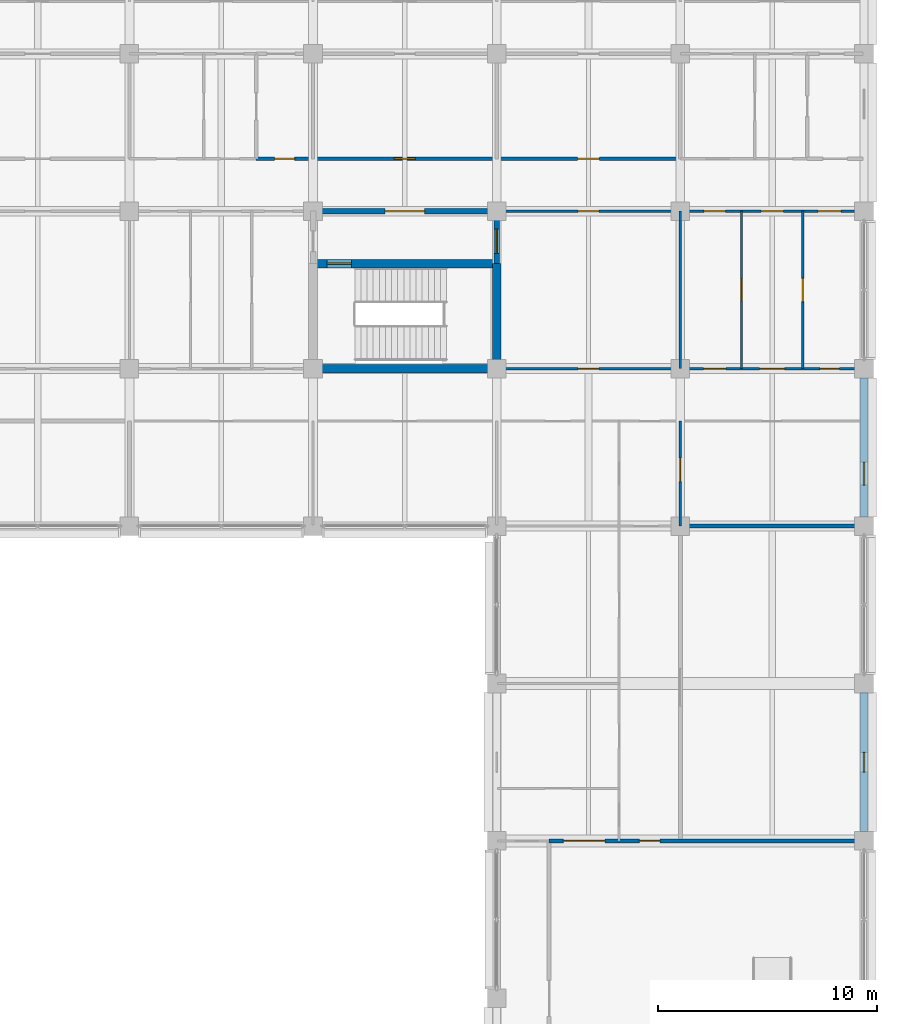
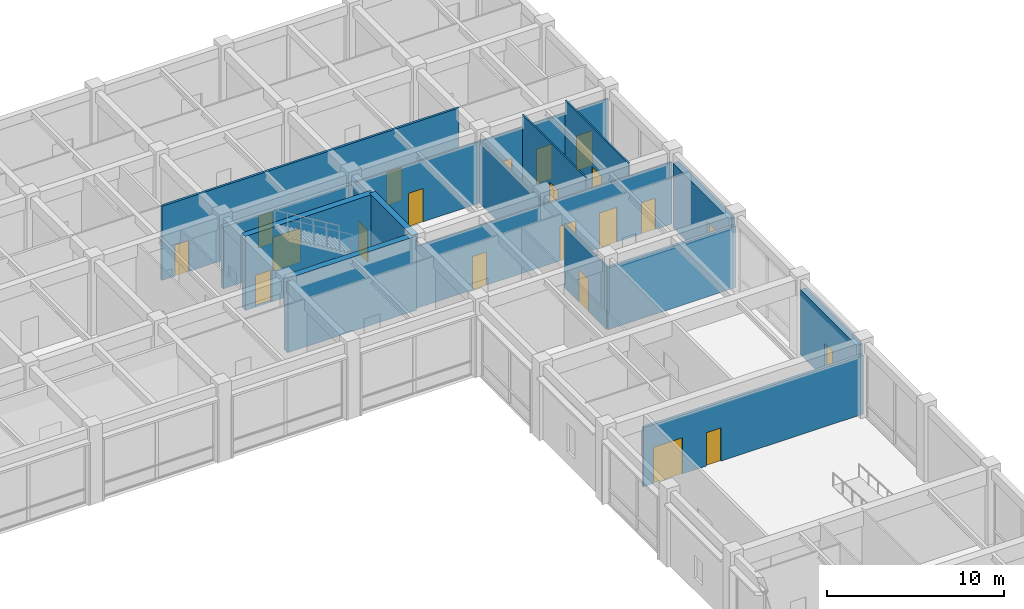
# One storey, part 40 of 51: 19 doors, 16 walls, 2 windows, 21 openings.
"""IFC4 building model written with IfcOpenShell, lengths in metres."""

import ifcopenshell
import ifcopenshell.guid

model = None  # the IFC model being written
_history = None  # IfcOwnerHistory: only IFC2X3 demands one
_inside = {}  # id of a spatial element -> (the spatial element, [elements in it])
_under = {}  # id of a project, library or spatial element -> (it, [spatial elements below it])
_declared = {}  # id of a project -> (the project, [libraries it declares])
_typed = {}  # id of a type object -> (the type object, [elements of that type])
_made_of = {}  # id of a material, layer set ... -> (it, [elements and type objects made of it])


def new_model(schema):
    """Start an empty IFC model of exactly this schema.

    Asked for "IFC4X3", IfcOpenShell would pick the latest addendum, in which some entities
    have other attributes; the version numbers below select the first issue.
    IFC2X3 requires an IfcOwnerHistory on every rooted entity: one is made here for all.
    """
    global model, _history
    if schema == "IFC4X3":
        model = ifcopenshell.file(schema_version=(4, 3, 0, 0))
    else:
        model = ifcopenshell.file(schema=schema)
    _inside.clear()
    _under.clear()
    _declared.clear()
    _typed.clear()
    _made_of.clear()
    _history = None
    if model.schema == "IFC2X3":
        org = make("IfcOrganization", Name="unknown")
        user = make(
            "IfcPersonAndOrganization",
            ThePerson=make("IfcPerson", FamilyName="unknown"),
            TheOrganization=org,
        )
        app = make(
            "IfcApplication",
            ApplicationDeveloper=org,
            Version="unknown",
            ApplicationFullName="unknown",
            ApplicationIdentifier="unknown",
        )
        _history = make(
            "IfcOwnerHistory",
            OwningUser=user,
            OwningApplication=app,
            ChangeAction="ADDED",
            CreationDate=0,
        )
    return model


def make(cls, **values):
    """One entity of the class cls with the attributes given. An attribute that is None is left unset."""
    return model.create_entity(
        cls, **{name: value for name, value in values.items() if value is not None}
    )


def rooted(cls, **values):
    """An entity with a GlobalId (a new one), such as an element, a storey or a relation."""
    return make(cls, GlobalId=ifcopenshell.guid.new(), OwnerHistory=_history, **values)


def si_unit(unit_type, name, prefix=None):
    """IfcSIUnit, for example si_unit("LENGTHUNIT", "METRE", prefix="MILLI")."""
    return make("IfcSIUnit", UnitType=unit_type, Prefix=prefix, Name=name)


def assignment(units):
    """IfcUnitAssignment: the units of a project."""
    return None if units is None else make("IfcUnitAssignment", Units=units)


def point(xyz):
    """IfcCartesianPoint."""
    return None if xyz is None else make("IfcCartesianPoint", Coordinates=xyz)


def direction(xyz):
    """IfcDirection."""
    return None if xyz is None else make("IfcDirection", DirectionRatios=xyz)


def frame(location, z_axis=None, x_axis=None):
    """IfcAxis2Placement3D, a coordinate frame: its origin and axes. An axis left out is left unset."""
    return make(
        "IfcAxis2Placement3D",
        Location=point(location),
        Axis=direction(z_axis),
        RefDirection=direction(x_axis),
    )


def frame_2d(location, x_axis=None):
    """IfcAxis2Placement2D, a coordinate frame in the plane: its origin and x axis."""
    return make(
        "IfcAxis2Placement2D", Location=point(location), RefDirection=direction(x_axis)
    )


def origin():
    """The frame at (0, 0, 0) with its axes left unset."""
    return frame((0.0, 0.0, 0.0))


def place(relative_to, where):
    """IfcLocalPlacement: puts the frame where relative to a parent placement (None: the world)."""
    return make(
        "IfcLocalPlacement", PlacementRelTo=relative_to, RelativePlacement=where
    )


def context(
    kind, dimensions, precision=None, world=None, true_north=None, identifier=None
):
    """IfcGeometricRepresentationContext, for example the 3D "Model" context."""
    return make(
        "IfcGeometricRepresentationContext",
        ContextIdentifier=identifier,
        ContextType=kind,
        CoordinateSpaceDimension=dimensions,
        Precision=precision,
        WorldCoordinateSystem=world,
        TrueNorth=true_north,
    )


def subcontext(parent, identifier, kind, view, scale=None):
    """IfcGeometricRepresentationSubContext, for example "Body" below "Model"."""
    return make(
        "IfcGeometricRepresentationSubContext",
        ContextIdentifier=identifier,
        ContextType=kind,
        ParentContext=parent,
        TargetScale=scale,
        TargetView=view,
    )


def project(units=None, contexts=None):
    """IfcProject with its units and contexts."""
    return rooted(
        "IfcProject",
        Name="project",
        RepresentationContexts=contexts,
        UnitsInContext=assignment(units),
    )


def spatial(cls, under=None, at=None, **own):
    """A site, building, storey or space (cls), placed at a placement, below another one or the project."""
    s = rooted(cls, ObjectPlacement=at, **own)
    if under is not None:
        _under.setdefault(under.id(), (under, []))[1].append(s)
    return s


def profile(cls, at=None, kind="AREA", **sizes):
    """A parametric profile (cls). Its sizes go by their IFC names, for example OverallWidth=200.0."""
    return make(cls, ProfileType=kind, Position=at, **sizes)


def rectangle(**sizes):
    """IfcRectangleProfileDef."""
    return profile("IfcRectangleProfileDef", **sizes)


def extrude(swept, where, along, depth):
    """IfcExtrudedAreaSolid: the profile swept, set in the frame where, extruded along a direction by depth."""
    return make(
        "IfcExtrudedAreaSolid",
        SweptArea=swept,
        Position=where,
        ExtrudedDirection=direction(along),
        Depth=depth,
    )


def shape(context_of_items, identifier, shape_type, items):
    """IfcShapeRepresentation: the items that make up one representation, for example the "Body"."""
    return make(
        "IfcShapeRepresentation",
        ContextOfItems=context_of_items,
        RepresentationIdentifier=identifier,
        RepresentationType=shape_type,
        Items=items,
    )


def material(Name=None, Category=None):
    """IfcMaterial."""
    return make("IfcMaterial", Name=Name, Category=Category)


def layer(
    of_material, thickness, ventilated=None, Name=None, Category=None, Priority=None
):
    """IfcMaterialLayer: one layer of a wall or slab, of a material (None: an air gap)."""
    return make(
        "IfcMaterialLayer",
        Material=of_material,
        LayerThickness=thickness,
        IsVentilated=ventilated,
        Name=Name,
        Category=Category,
        Priority=Priority,
    )


def layer_set(layers, Name=None):
    """IfcMaterialLayerSet."""
    return make("IfcMaterialLayerSet", MaterialLayers=layers, LayerSetName=Name)


def made_of(thing, what):
    """Note that an element or type object is made of a material, layer set ...; save() writes the relation."""
    if what is not None:
        _made_of.setdefault(what.id(), (what, []))[1].append(thing)
    return thing


def type_object(cls, material=None, **own):
    """A type object (cls), such as IfcWallType, which elements share."""
    return made_of(rooted(cls, **own), material)


def element(
    cls,
    number,
    at=None,
    inside=None,
    cuts=None,
    type_object=None,
    material=None,
    context=None,
    identifier="Body",
    shape_type=None,
    held_by="IfcProductDefinitionShape",
    body=None,
    shapes=None,
    **own,
):
    """One element of the class cls, such as IfcWall. Its Tag is "e" and its number.

    at: its placement. inside: the storey or other place that contains it. cuts: it is an
    opening in that element (IfcRelVoidsElement). A single representation is given by context,
    identifier, shape_type and body (its items); several are given by shapes. held_by: the class
    of the entity that holds the representations. save() writes the other relations.
    """
    e = rooted(cls, Tag="e%d" % number, ObjectPlacement=at, **own)
    if body is not None:
        shapes = [shape(context, identifier, shape_type, body)]
    if shapes is not None:
        e.Representation = make(held_by, Representations=shapes)
    if inside is not None:
        _inside.setdefault(inside.id(), (inside, []))[1].append(e)
    if cuts is not None:
        rooted(
            "IfcRelVoidsElement", RelatingBuildingElement=cuts, RelatedOpeningElement=e
        )
    if type_object is not None:
        _typed.setdefault(type_object.id(), (type_object, []))[1].append(e)
    return made_of(e, material)


def fill(opening, filler):
    """IfcRelFillsElement: the door or window that sits in an opening."""
    return rooted(
        "IfcRelFillsElement",
        RelatingOpeningElement=opening,
        RelatedBuildingElement=filler,
    )


def aggregate(whole, parts):
    """IfcRelAggregates: a whole, such as a stair, and the parts it consists of."""
    return rooted("IfcRelAggregates", RelatingObject=whole, RelatedObjects=parts)


def save(model, path):
    """Write the relations noted so far, then the file.

    IfcRelAggregates (storeys below a building ...), IfcRelContainedInSpatialStructure (elements
    in a storey), IfcRelDefinesByType, IfcRelAssociatesMaterial and IfcRelDeclares: one each for
    every whole, place, type object, material and project.
    """
    for whole, parts in _under.values():
        aggregate(whole, parts)
    for where, things in _inside.values():
        rooted(
            "IfcRelContainedInSpatialStructure",
            RelatedElements=things,
            RelatingStructure=where,
        )
    for kind, things in _typed.values():
        rooted("IfcRelDefinesByType", RelatedObjects=things, RelatingType=kind)
    for what, things in _made_of.values():
        rooted("IfcRelAssociatesMaterial", RelatedObjects=things, RelatingMaterial=what)
    for by, libraries in _declared.values():
        rooted("IfcRelDeclares", RelatingContext=by, RelatedDefinitions=libraries)
    model.write(path)


model = new_model("IFC4")

# Units and contexts
model_context = context("Model", 3, precision=1e-05, world=origin(), true_north=direction((0.0, 1.0)))
body_context = subcontext(model_context, "Body", "Model", "MODEL_VIEW")
ifc_project = project(units=[si_unit("LENGTHUNIT", "METRE"), si_unit("AREAUNIT", "SQUARE_METRE"), si_unit("VOLUMEUNIT", "CUBIC_METRE"), si_unit("PLANEANGLEUNIT", "RADIAN"), si_unit("MASSUNIT", "GRAM", prefix="KILO")], contexts=[model_context])

# Site, building, storey
site_placement = place(None, origin())
site = spatial("IfcSite", under=ifc_project, at=site_placement, CompositionType="ELEMENT")
building_placement = place(site_placement, origin())
building = spatial("IfcBuilding", under=site, at=building_placement, Name="Chengyuan Square Courthouse", CompositionType="ELEMENT")
storey_placement = place(building_placement, frame((0.0, 0.0, 10.800048828125)))
storey = spatial("IfcBuildingStorey", under=building, at=storey_placement, Name="L03", CompositionType="ELEMENT", Elevation=10.800048828125)

# Wall, opening, window
ifc_material_1 = material(Name="Concrete C40", Category="concrete")
ifc_layer_1 = layer(ifc_material_1, 0.3798828125)
ifc_layer_set_1 = layer_set([ifc_layer_1], Name="Concrete C40")
wall_type_1 = type_object("IfcWallType", Name="WL-EW1", PredefinedType="STANDARD", material=ifc_layer_set_1)
wall_1_placement = place(storey_placement, frame((168.0, 65.219970703125, 0.0), z_axis=(0.0, 0.0, 1.0), x_axis=(0.0, 1.0, 0.0)))
wall_1 = element("IfcWall", 1, at=wall_1_placement, inside=storey, type_object=wall_type_1, Name="Exterior Wall WL-L03-E292", PredefinedType="STANDARD", context=body_context, shape_type="SweptSolid", body=[
    extrude(rectangle(XDim=6.360107421875, YDim=0.3798828125, at=frame_2d((3.18017578125, 0.0))), origin(), (0.0, 0.0, 1.0), 4.469970703125),
])
opening_1_placement = place(wall_1_placement, frame((2.72998046875, 0.0, 0.85009765625)))
opening_1 = element("IfcOpeningElement", 2, at=opening_1_placement, cuts=wall_1, Name="Opening WN-078", PredefinedType="OPENING", context=body_context, shape_type="SweptSolid", body=[
    extrude(rectangle(XDim=0.89990234375, YDim=1.56005859375, at=frame_2d((0.449951171875, 0.780029296875))), frame((0.0, 0.201904296875, 0.0), z_axis=(0.0, -1.0, 0.0), x_axis=(1.0, 0.0, 0.0)), (0.0, 0.0, 1.0), 0.40380859375),
])
ifc_material_2 = material(Name="Thermally Broken Aluminium Triple Low-E Window", Category="aluminium")
window_type_1 = type_object("IfcWindowType", Name="WT-03", PartitioningType="SINGLE_PANEL", PredefinedType="WINDOW", material=ifc_material_2)
window_1_placement = place(opening_1_placement, origin())
window_1 = element("IfcWindow", 3, at=window_1_placement, inside=storey, type_object=window_type_1, Name="Facade Window WN-078", OverallHeight=1.56005859375, OverallWidth=0.89990234375, PartitioningType="SINGLE_PANEL", PredefinedType="WINDOW", context=body_context, shape_type="SweptSolid", body=[
    extrude(rectangle(XDim=0.89990234375, YDim=1.56005859375, at=frame_2d((0.449951171875, 0.780029296875))), frame((0.0, 0.030029296875, 0.0), z_axis=(0.0, -1.0, 0.0), x_axis=(1.0, 0.0, 0.0)), (0.0, 0.0, 1.0), 0.06005859375),
])
fill(opening_1, window_1)

wall_2_placement = place(storey_placement, frame((168.0, 79.6201171875, 0.0), z_axis=(0.0, 0.0, 1.0), x_axis=(0.0, 1.0, 0.0)))
wall_2 = element("IfcWall", 4, at=wall_2_placement, inside=storey, type_object=wall_type_1, Name="Exterior Wall WL-L03-E293", PredefinedType="STANDARD", context=body_context, shape_type="SweptSolid", body=[
    extrude(rectangle(XDim=6.35986328125, YDim=0.3798828125, at=frame_2d((3.179931640625, 0.0))), origin(), (0.0, 0.0, 1.0), 4.469970703125),
])
opening_2_placement = place(wall_2_placement, frame((1.455078125, 0.0, 0.85009765625)))
opening_2 = element("IfcOpeningElement", 5, at=opening_2_placement, cuts=wall_2, Name="Opening WN-079", PredefinedType="OPENING", context=body_context, shape_type="SweptSolid", body=[
    extrude(rectangle(XDim=1.050048828125, YDim=1.919921875, at=frame_2d((0.52490234375, 0.9599609375))), frame((0.0, 0.201904296875, 0.0), z_axis=(0.0, -1.0, 0.0), x_axis=(1.0, 0.0, 0.0)), (0.0, 0.0, 1.0), 0.40380859375),
])
window_type_2 = type_object("IfcWindowType", Name="WT-11", PartitioningType="SINGLE_PANEL", PredefinedType="WINDOW", material=ifc_material_2)
window_2_placement = place(opening_2_placement, origin())
window_2 = element("IfcWindow", 6, at=window_2_placement, inside=storey, type_object=window_type_2, Name="Facade Window WN-079", OverallHeight=1.919921875, OverallWidth=1.050048828125, PartitioningType="SINGLE_PANEL", PredefinedType="WINDOW", context=body_context, shape_type="SweptSolid", body=[
    extrude(rectangle(XDim=1.050048828125, YDim=1.919921875, at=frame_2d((0.52490234375, 0.9599609375))), frame((0.0, 0.030029296875, 0.0), z_axis=(0.0, -1.0, 0.0), x_axis=(1.0, 0.0, 0.0)), (0.0, 0.0, 1.0), 0.06005859375),
])
fill(opening_2, window_2)

# Wall, opening, door
ifc_layer_2 = layer(ifc_material_1, 0.25)
ifc_layer_set_2 = layer_set([ifc_layer_2], Name="Concrete C40")
wall_type_2 = type_object("IfcWallType", Name="WL-FW1", PredefinedType="STANDARD", material=ifc_layer_set_2)
wall_3_placement = place(storey_placement, frame((142.800048828125, 93.60009765625, 0.0), z_axis=(0.0, 0.0, 1.0), x_axis=(1.0, 0.0, 0.0)))
wall_3 = element("IfcWall", 7, at=wall_3_placement, inside=storey, type_object=wall_type_2, Name="Interior Wall WL-L03-I1459", PredefinedType="STANDARD", context=body_context, shape_type="SweptSolid", body=[
    extrude(rectangle(XDim=8.39990234375, YDim=0.25, at=frame_2d((4.199951171875, 0.0))), origin(), (0.0, 0.0, 1.0), 4.27001953125),
])
opening_3_placement = place(wall_3_placement, frame((3.300048828125, 0.0, 0.0)))
opening_3 = element("IfcOpeningElement", 8, at=opening_3_placement, cuts=wall_3, Name="Opening DR-1354", PredefinedType="OPENING", context=body_context, shape_type="SweptSolid", body=[
    extrude(rectangle(XDim=1.800048828125, YDim=2.35009765625, at=frame_2d((0.89990234375, 1.175048828125))), frame((0.0, 0.136962890625, 0.0), z_axis=(0.0, -1.0, 0.0), x_axis=(1.0, 0.0, 0.0)), (0.0, 0.0, 1.0), 0.27392578125),
])
ifc_material_3 = material(Name="Steel Q235B Glazed Fire Door", Category="steel")
door_type_1 = type_object("IfcDoorType", Name="DT-18", OperationType="DOUBLE_DOOR_SINGLE_SWING", PredefinedType="DOOR", material=ifc_material_3)
door_1_placement = place(opening_3_placement, frame((1.800048828125, 0.0, 0.0), z_axis=(0.0, 0.0, 1.0), x_axis=(-1.0, 0.0, 0.0)))
door_1 = element("IfcDoor", 9, at=door_1_placement, inside=storey, type_object=door_type_1, Name="Interior Door DR-1354", OperationType="DOUBLE_DOOR_SINGLE_SWING", OverallHeight=2.35009765625, OverallWidth=1.800048828125, PredefinedType="DOOR", context=body_context, shape_type="SweptSolid", body=[
    extrude(rectangle(XDim=1.800048828125, YDim=2.35009765625, at=frame_2d((0.89990234375, 1.175048828125))), frame((0.0, 0.02490234375, 0.0), z_axis=(0.0, -1.0, 0.0), x_axis=(1.0, 0.0, 0.0)), (0.0, 0.0, 1.0), 0.050048828125),
])
fill(opening_3, door_1)

wall_4_placement = place(storey_placement, frame((151.199951171875, 91.199951171875, 0.0), z_axis=(0.0, 0.0, 1.0), x_axis=(0.0, 1.0, 0.0)))
wall_4 = element("IfcWall", 10, at=wall_4_placement, inside=storey, type_object=wall_type_2, Name="Interior Wall WL-L03-I1719", PredefinedType="STANDARD", context=body_context, shape_type="SweptSolid", body=[
    extrude(rectangle(XDim=2.400146484375, YDim=0.25, at=frame_2d((1.2001953125, 0.0))), origin(), (0.0, 0.0, 1.0), 4.369873046875),
])
opening_4_placement = place(wall_4_placement, frame((0.4775390625, 0.0, 0.0)))
opening_4 = element("IfcOpeningElement", 11, at=opening_4_placement, cuts=wall_4, Name="Opening DR-1356", PredefinedType="OPENING", context=body_context, shape_type="SweptSolid", body=[
    extrude(rectangle(XDim=1.10009765625, YDim=2.199951171875, at=frame_2d((0.550048828125, 1.10009765625))), frame((0.0, 0.136962890625, 0.0), z_axis=(0.0, -1.0, 0.0), x_axis=(1.0, 0.0, 0.0)), (0.0, 0.0, 1.0), 0.27392578125),
])
ifc_material_4 = material(Name="Steel Q235B Fire Door", Category="steel")
door_type_2 = type_object("IfcDoorType", Name="DT-10", OperationType="NOTDEFINED", PredefinedType="DOOR", material=ifc_material_4)
door_2_placement = place(opening_4_placement, origin())
door_2 = element("IfcDoor", 12, at=door_2_placement, inside=storey, type_object=door_type_2, Name="Interior Door DR-1356", OperationType="SINGLE_SWING_LEFT", OverallHeight=2.199951171875, OverallWidth=1.10009765625, PredefinedType="DOOR", context=body_context, shape_type="SweptSolid", body=[
    extrude(rectangle(XDim=1.10009765625, YDim=2.199951171875, at=frame_2d((0.550048828125, 1.10009765625))), frame((0.0, 0.02490234375, 0.0), z_axis=(0.0, -1.0, 0.0), x_axis=(1.0, 0.0, 0.0)), (0.0, 0.0, 1.0), 0.050048828125),
])
fill(opening_4, door_2)

# Wall, openings, doors
ifc_material_5 = material(Name="Double-Stud Acoustic Gypsum Courtroom Partition")
ifc_layer_3 = layer(ifc_material_5, 0.179931640625)
ifc_layer_set_3 = layer_set([ifc_layer_3], Name="Double-Stud Acoustic Gypsum Courtroom Partition")
wall_type_3 = type_object("IfcWallType", Name="WL-PT1", PredefinedType="STANDARD", material=ifc_layer_set_3)
wall_5_placement = place(storey_placement, frame((153.60009765625, 64.800048828125, 0.0), z_axis=(0.0, 0.0, 1.0), x_axis=(1.0, 0.0, 0.0)))
wall_5 = element("IfcWall", 13, at=wall_5_placement, inside=storey, type_object=wall_type_3, Name="Interior Wall WL-L03-I1403", PredefinedType="STANDARD", context=body_context, shape_type="SweptSolid", body=[
    extrude(rectangle(XDim=14.35986328125, YDim=0.179931640625, at=frame_2d((7.179931640625, 0.0))), origin(), (0.0, 0.0, 1.0), 4.070068359375),
])
opening_5_placement = place(wall_5_placement, frame((4.1298828125, 0.0, 0.0)))
opening_5 = element("IfcOpeningElement", 14, at=opening_5_placement, cuts=wall_5, Name="Opening DR-1369", PredefinedType="OPENING", context=body_context, shape_type="SweptSolid", body=[
    extrude(rectangle(XDim=0.93994140625, YDim=2.300048828125, at=frame_2d((0.469970703125, 1.14990234375))), frame((0.0, 0.10205078125, 0.0), z_axis=(0.0, -1.0, 0.0), x_axis=(1.0, 0.0, 0.0)), (0.0, 0.0, 1.0), 0.203857421875),
])
opening_6_placement = place(wall_5_placement, frame((0.64990234375, 0.0, 0.0)))
opening_6 = element("IfcOpeningElement", 15, at=opening_6_placement, cuts=wall_5, Name="Opening DR-1370", PredefinedType="OPENING", context=body_context, shape_type="SweptSolid", body=[
    extrude(rectangle(XDim=1.89990234375, YDim=2.5, at=frame_2d((0.949951171875, 1.25))), frame((0.0, 0.10205078125, 0.0), z_axis=(0.0, -1.0, 0.0), x_axis=(1.0, 0.0, 0.0)), (0.0, 0.0, 1.0), 0.203857421875),
])
ifc_material_6 = material(Name="Acoustic Larch Veneer Double Door")
door_type_3 = type_object("IfcDoorType", Name="DT-26", OperationType="DOUBLE_DOOR_SINGLE_SWING", PredefinedType="DOOR", material=ifc_material_6)
door_3_placement = place(opening_6_placement, frame((1.89990234375, 0.0, 0.0), z_axis=(0.0, 0.0, 1.0), x_axis=(-1.0, 0.0, 0.0)))
door_3 = element("IfcDoor", 16, at=door_3_placement, inside=storey, type_object=door_type_3, Name="Interior Door DR-1370", OperationType="DOUBLE_DOOR_SINGLE_SWING", OverallHeight=2.5, OverallWidth=1.89990234375, PredefinedType="DOOR", context=body_context, shape_type="SweptSolid", body=[
    extrude(rectangle(XDim=1.89990234375, YDim=2.5, at=frame_2d((0.949951171875, 1.25))), frame((0.0, 0.02490234375, 0.0), z_axis=(0.0, -1.0, 0.0), x_axis=(1.0, 0.0, 0.0)), (0.0, 0.0, 1.0), 0.050048828125),
])
fill(opening_6, door_3)
ifc_material_7 = material(Name="Acoustic Solid-Core Timber Door", Category="wood")
door_type_4 = type_object("IfcDoorType", Name="DT-39", OperationType="NOTDEFINED", PredefinedType="DOOR", material=ifc_material_7)
door_4_placement = place(opening_5_placement, origin())
door_4 = element("IfcDoor", 17, at=door_4_placement, inside=storey, type_object=door_type_4, Name="Interior Door DR-1369", OperationType="SINGLE_SWING_LEFT", OverallHeight=2.300048828125, OverallWidth=0.93994140625, PredefinedType="DOOR", context=body_context, shape_type="SweptSolid", body=[
    extrude(rectangle(XDim=0.93994140625, YDim=2.300048828125, at=frame_2d((0.469970703125, 1.14990234375))), frame((0.0, 0.02490234375, 0.0), z_axis=(0.0, -1.0, 0.0), x_axis=(1.0, 0.0, 0.0)), (0.0, 0.0, 1.0), 0.050048828125),
])
fill(opening_5, door_4)

# Wall
wall_6_placement = place(storey_placement, frame((159.60009765625, 79.199951171875, 0.0), z_axis=(0.0, 0.0, 1.0), x_axis=(1.0, 0.0, 0.0)))
element("IfcWall", 18, at=wall_6_placement, inside=storey, type_object=wall_type_3, Name="Interior Wall WL-L03-I1411", PredefinedType="STANDARD", context=body_context, shape_type="SweptSolid", body=[
    extrude(rectangle(XDim=8.35986328125, YDim=0.179931640625, at=frame_2d((4.179931640625, 0.0))), origin(), (0.0, 0.0, 1.0), 4.27001953125),
])

# Wall, openings, doors
ifc_material_8 = material(Name="Deliberation Room Sound-Insulated Partition")
ifc_layer_4 = layer(ifc_material_8, 0.14990234375)
ifc_layer_set_4 = layer_set([ifc_layer_4], Name="Deliberation Room Sound-Insulated Partition")
wall_type_4 = type_object("IfcWallType", Name="WL-PT3", PredefinedType="STANDARD", material=ifc_layer_set_4)
wall_7_placement = place(storey_placement, frame((140.199951171875, 96.0, 0.0), z_axis=(0.0, 0.0, 1.0), x_axis=(1.0, 0.0, 0.0)))
wall_7 = element("IfcWall", 19, at=wall_7_placement, inside=storey, type_object=wall_type_4, Name="Interior Wall WL-L03-I1472", PredefinedType="STANDARD", context=body_context, shape_type="SweptSolid", body=[
    extrude(rectangle(XDim=19.400146484375, YDim=0.14990234375, at=frame_2d((9.7001953125, 0.0))), origin(), (0.0, 0.0, 1.0), 5.119873046875),
])
opening_7_placement = place(wall_7_placement, frame((0.840087890625, 0.0, 0.0)))
opening_7 = element("IfcOpeningElement", 20, at=opening_7_placement, cuts=wall_7, Name="Opening DR-1495", PredefinedType="OPENING", context=body_context, shape_type="SweptSolid", body=[
    extrude(rectangle(XDim=0.919921875, YDim=2.14990234375, at=frame_2d((0.4599609375, 1.074951171875))), frame((0.0, 0.0869140625, 0.0), z_axis=(0.0, -1.0, 0.0), x_axis=(1.0, 0.0, 0.0)), (0.0, 0.0, 1.0), 0.173828125),
])
opening_8_placement = place(wall_7_placement, frame((6.320068359375, 0.0, 0.0)))
opening_8 = element("IfcOpeningElement", 21, at=opening_8_placement, cuts=wall_7, Name="Opening DR-1496", PredefinedType="OPENING", context=body_context, shape_type="SweptSolid", body=[
    extrude(rectangle(XDim=0.9599609375, YDim=2.199951171875, at=frame_2d((0.47998046875, 1.10009765625))), frame((0.0, 0.0869140625, 0.0), z_axis=(0.0, -1.0, 0.0), x_axis=(1.0, 0.0, 0.0)), (0.0, 0.0, 1.0), 0.173828125),
])
opening_9_placement = place(wall_7_placement, frame((14.699951171875, 0.0, 0.0)))
opening_9 = element("IfcOpeningElement", 22, at=opening_9_placement, cuts=wall_7, Name="Opening DR-1497", PredefinedType="OPENING", context=body_context, shape_type="SweptSolid", body=[
    extrude(rectangle(XDim=1.0, YDim=2.25, at=frame_2d((0.5, 1.125))), frame((0.0, 0.0869140625, 0.0), z_axis=(0.0, -1.0, 0.0), x_axis=(1.0, 0.0, 0.0)), (0.0, 0.0, 1.0), 0.173828125),
])
door_type_5 = type_object("IfcDoorType", Name="DT-29", OperationType="NOTDEFINED", PredefinedType="DOOR", material=ifc_material_7)
door_5_placement = place(opening_7_placement, origin())
door_5 = element("IfcDoor", 23, at=door_5_placement, inside=storey, type_object=door_type_5, Name="Interior Door DR-1495", OperationType="SINGLE_SWING_RIGHT", OverallHeight=2.14990234375, OverallWidth=0.919921875, PredefinedType="DOOR", context=body_context, shape_type="SweptSolid", body=[
    extrude(rectangle(XDim=0.919921875, YDim=2.14990234375, at=frame_2d((0.4599609375, 1.074951171875))), frame((0.0, 0.02490234375, 0.0), z_axis=(0.0, -1.0, 0.0), x_axis=(1.0, 0.0, 0.0)), (0.0, 0.0, 1.0), 0.050048828125),
])
fill(opening_7, door_5)
door_type_6 = type_object("IfcDoorType", Name="DT-30", OperationType="NOTDEFINED", PredefinedType="DOOR", material=ifc_material_7)
door_6_placement = place(opening_8_placement, origin())
door_6 = element("IfcDoor", 24, at=door_6_placement, inside=storey, type_object=door_type_6, Name="Interior Door DR-1496", OperationType="SINGLE_SWING_LEFT", OverallHeight=2.199951171875, OverallWidth=0.9599609375, PredefinedType="DOOR", context=body_context, shape_type="SweptSolid", body=[
    extrude(rectangle(XDim=0.9599609375, YDim=2.199951171875, at=frame_2d((0.47998046875, 1.10009765625))), frame((0.0, 0.02490234375, 0.0), z_axis=(0.0, -1.0, 0.0), x_axis=(1.0, 0.0, 0.0)), (0.0, 0.0, 1.0), 0.050048828125),
])
fill(opening_8, door_6)
door_type_7 = type_object("IfcDoorType", Name="DT-31", OperationType="NOTDEFINED", PredefinedType="DOOR", material=ifc_material_7)
door_7_placement = place(opening_9_placement, origin())
door_7 = element("IfcDoor", 25, at=door_7_placement, inside=storey, type_object=door_type_7, Name="Interior Door DR-1497", OperationType="SINGLE_SWING_RIGHT", OverallHeight=2.25, OverallWidth=1.0, PredefinedType="DOOR", context=body_context, shape_type="SweptSolid", body=[
    extrude(rectangle(XDim=1.0, YDim=2.25, at=frame_2d((0.5, 1.125))), frame((0.0, 0.02490234375, 0.0), z_axis=(0.0, -1.0, 0.0), x_axis=(1.0, 0.0, 0.0)), (0.0, 0.0, 1.0), 0.050048828125),
])
fill(opening_9, door_7)

ifc_material_9 = material(Name="Gypsum Plasterboard Acoustic Stud Partition")
ifc_layer_5 = layer(ifc_material_9, 0.10009765625)
ifc_layer_set_5 = layer_set([ifc_layer_5], Name="Gypsum Plasterboard Acoustic Stud Partition")
wall_type_5 = type_object("IfcWallType", Name="WL-PT6", PredefinedType="STANDARD", material=ifc_layer_set_5)
wall_8_placement = place(storey_placement, frame((151.199951171875, 86.39990234375, 0.0), z_axis=(0.0, 0.0, 1.0), x_axis=(1.0, 0.0, 0.0)))
wall_8 = element("IfcWall", 26, at=wall_8_placement, inside=storey, type_object=wall_type_5, Name="Interior Wall WL-L03-I1432", PredefinedType="STANDARD", context=body_context, shape_type="SweptSolid", body=[
    extrude(rectangle(XDim=16.760009765625, YDim=0.10009765625, at=frame_2d((8.3798828125, 0.0))), origin(), (0.0, 0.0, 1.0), 4.27001953125),
])
opening_10_placement = place(wall_8_placement, frame((3.72998046875, 0.0, 0.0)))
opening_10 = element("IfcOpeningElement", 27, at=opening_10_placement, cuts=wall_8, Name="Opening DR-1556", PredefinedType="OPENING", context=body_context, shape_type="SweptSolid", body=[
    extrude(rectangle(XDim=0.93994140625, YDim=2.300048828125, at=frame_2d((0.469970703125, 1.14990234375))), frame((0.0, 0.06201171875, 0.0), z_axis=(0.0, -1.0, 0.0), x_axis=(1.0, 0.0, 0.0)), (0.0, 0.0, 1.0), 0.1240234375),
])
opening_11_placement = place(wall_8_placement, frame((9.46240234375, 0.0, 0.0)))
opening_11 = element("IfcOpeningElement", 28, at=opening_11_placement, cuts=wall_8, Name="Opening DR-1558", PredefinedType="OPENING", context=body_context, shape_type="SweptSolid", body=[
    extrude(rectangle(XDim=1.02001953125, YDim=2.39990234375, at=frame_2d((0.510009765625, 1.199951171875))), frame((0.0, 0.06201171875, 0.0), z_axis=(0.0, -1.0, 0.0), x_axis=(1.0, 0.0, 0.0)), (0.0, 0.0, 1.0), 0.1240234375),
])
opening_12_placement = place(wall_8_placement, frame((12.030029296875, 0.0, 0.0)))
opening_12 = element("IfcOpeningElement", 29, at=opening_12_placement, cuts=wall_8, Name="Opening DR-1560", PredefinedType="OPENING", context=body_context, shape_type="SweptSolid", body=[
    extrude(rectangle(XDim=1.139892578125, YDim=2.39990234375, at=frame_2d((0.56982421875, 1.199951171875))), frame((0.0, 0.06201171875, 0.0), z_axis=(0.0, -1.0, 0.0), x_axis=(1.0, 0.0, 0.0)), (0.0, 0.0, 1.0), 0.1240234375),
])
opening_13_placement = place(wall_8_placement, frame((14.777587890625, 0.0, 0.0)))
opening_13 = element("IfcOpeningElement", 30, at=opening_13_placement, cuts=wall_8, Name="Opening DR-1561", PredefinedType="OPENING", context=body_context, shape_type="SweptSolid", body=[
    extrude(rectangle(XDim=0.89990234375, YDim=2.14990234375, at=frame_2d((0.449951171875, 1.074951171875))), frame((0.0, 0.06201171875, 0.0), z_axis=(0.0, -1.0, 0.0), x_axis=(1.0, 0.0, 0.0)), (0.0, 0.0, 1.0), 0.1240234375),
])
door_type_8 = type_object("IfcDoorType", Name="DT-27", OperationType="NOTDEFINED", PredefinedType="DOOR", material=ifc_material_7)
door_8_placement = place(opening_13_placement, origin())
door_8 = element("IfcDoor", 31, at=door_8_placement, inside=storey, type_object=door_type_8, Name="Interior Door DR-1561", OperationType="SINGLE_SWING_RIGHT", OverallHeight=2.14990234375, OverallWidth=0.89990234375, PredefinedType="DOOR", context=body_context, shape_type="SweptSolid", body=[
    extrude(rectangle(XDim=0.89990234375, YDim=2.14990234375, at=frame_2d((0.449951171875, 1.074951171875))), frame((0.0, 0.02490234375, 0.0), z_axis=(0.0, -1.0, 0.0), x_axis=(1.0, 0.0, 0.0)), (0.0, 0.0, 1.0), 0.050048828125),
])
fill(opening_13, door_8)
door_9_placement = place(opening_10_placement, origin())
door_9 = element("IfcDoor", 32, at=door_9_placement, inside=storey, type_object=door_type_4, Name="Interior Door DR-1556", OperationType="SINGLE_SWING_LEFT", OverallHeight=2.300048828125, OverallWidth=0.93994140625, PredefinedType="DOOR", context=body_context, shape_type="SweptSolid", body=[
    extrude(rectangle(XDim=0.93994140625, YDim=2.300048828125, at=frame_2d((0.469970703125, 1.14990234375))), frame((0.0, 0.02490234375, 0.0), z_axis=(0.0, -1.0, 0.0), x_axis=(1.0, 0.0, 0.0)), (0.0, 0.0, 1.0), 0.050048828125),
])
fill(opening_10, door_9)
door_type_9 = type_object("IfcDoorType", Name="DT-41", OperationType="NOTDEFINED", PredefinedType="DOOR", material=ifc_material_7)
door_10_placement = place(opening_11_placement, origin())
door_10 = element("IfcDoor", 33, at=door_10_placement, inside=storey, type_object=door_type_9, Name="Interior Door DR-1558", OperationType="SINGLE_SWING_LEFT", OverallHeight=2.39990234375, OverallWidth=1.02001953125, PredefinedType="DOOR", context=body_context, shape_type="SweptSolid", body=[
    extrude(rectangle(XDim=1.02001953125, YDim=2.39990234375, at=frame_2d((0.510009765625, 1.199951171875))), frame((0.0, 0.02490234375, 0.0), z_axis=(0.0, -1.0, 0.0), x_axis=(1.0, 0.0, 0.0)), (0.0, 0.0, 1.0), 0.050048828125),
])
fill(opening_11, door_10)
door_type_10 = type_object("IfcDoorType", Name="DT-43", OperationType="NOTDEFINED", PredefinedType="DOOR", material=ifc_material_7)
door_11_placement = place(opening_12_placement, origin())
door_11 = element("IfcDoor", 34, at=door_11_placement, inside=storey, type_object=door_type_10, Name="Interior Door DR-1560", OperationType="SINGLE_SWING_LEFT", OverallHeight=2.39990234375, OverallWidth=1.139892578125, PredefinedType="DOOR", context=body_context, shape_type="SweptSolid", body=[
    extrude(rectangle(XDim=1.139892578125, YDim=2.39990234375, at=frame_2d((0.56982421875, 1.199951171875))), frame((0.0, 0.02490234375, 0.0), z_axis=(0.0, -1.0, 0.0), x_axis=(1.0, 0.0, 0.0)), (0.0, 0.0, 1.0), 0.050048828125),
])
fill(opening_12, door_11)

wall_9_placement = place(storey_placement, frame((151.199951171875, 93.60009765625, 0.0), z_axis=(0.0, 0.0, 1.0), x_axis=(1.0, 0.0, 0.0)))
wall_9 = element("IfcWall", 35, at=wall_9_placement, inside=storey, type_object=wall_type_5, Name="Interior Wall WL-L03-I1460", PredefinedType="STANDARD", context=body_context, shape_type="SweptSolid", body=[
    extrude(rectangle(XDim=16.760009765625, YDim=0.10009765625, at=frame_2d((8.3798828125, 0.0))), origin(), (0.0, 0.0, 1.0), 4.27001953125),
])
opening_14_placement = place(wall_9_placement, frame((3.72998046875, 0.0, 0.0)))
opening_14 = element("IfcOpeningElement", 36, at=opening_14_placement, cuts=wall_9, Name="Opening DR-1505", PredefinedType="OPENING", context=body_context, shape_type="SweptSolid", body=[
    extrude(rectangle(XDim=0.93994140625, YDim=2.300048828125, at=frame_2d((0.469970703125, 1.14990234375))), frame((0.0, 0.06201171875, 0.0), z_axis=(0.0, -1.0, 0.0), x_axis=(1.0, 0.0, 0.0)), (0.0, 0.0, 1.0), 0.1240234375),
])
opening_15_placement = place(wall_9_placement, frame((9.482421875, 0.0, 0.0)))
opening_15 = element("IfcOpeningElement", 37, at=opening_15_placement, cuts=wall_9, Name="Opening DR-1506", PredefinedType="OPENING", context=body_context, shape_type="SweptSolid", body=[
    extrude(rectangle(XDim=0.97998046875, YDim=2.35009765625, at=frame_2d((0.489990234375, 1.175048828125))), frame((0.0, 0.06201171875, 0.0), z_axis=(0.0, -1.0, 0.0), x_axis=(1.0, 0.0, 0.0)), (0.0, 0.0, 1.0), 0.1240234375),
])
opening_16_placement = place(wall_9_placement, frame((12.090087890625, 0.0, 0.0)))
opening_16 = element("IfcOpeningElement", 38, at=opening_16_placement, cuts=wall_9, Name="Opening DR-1507", PredefinedType="OPENING", context=body_context, shape_type="SweptSolid", body=[
    extrude(rectangle(XDim=1.02001953125, YDim=2.39990234375, at=frame_2d((0.510009765625, 1.199951171875))), frame((0.0, 0.06201171875, 0.0), z_axis=(0.0, -1.0, 0.0), x_axis=(1.0, 0.0, 0.0)), (0.0, 0.0, 1.0), 0.1240234375),
])
opening_17_placement = place(wall_9_placement, frame((14.697509765625, 0.0, 0.0)))
opening_17 = element("IfcOpeningElement", 39, at=opening_17_placement, cuts=wall_9, Name="Opening DR-1508", PredefinedType="OPENING", context=body_context, shape_type="SweptSolid", body=[
    extrude(rectangle(XDim=1.06005859375, YDim=2.39990234375, at=frame_2d((0.530029296875, 1.199951171875))), frame((0.0, 0.06201171875, 0.0), z_axis=(0.0, -1.0, 0.0), x_axis=(1.0, 0.0, 0.0)), (0.0, 0.0, 1.0), 0.1240234375),
])
door_12_placement = place(opening_14_placement, origin())
door_12 = element("IfcDoor", 40, at=door_12_placement, inside=storey, type_object=door_type_4, Name="Interior Door DR-1505", OperationType="SINGLE_SWING_LEFT", OverallHeight=2.300048828125, OverallWidth=0.93994140625, PredefinedType="DOOR", context=body_context, shape_type="SweptSolid", body=[
    extrude(rectangle(XDim=0.93994140625, YDim=2.300048828125, at=frame_2d((0.469970703125, 1.14990234375))), frame((0.0, 0.02490234375, 0.0), z_axis=(0.0, -1.0, 0.0), x_axis=(1.0, 0.0, 0.0)), (0.0, 0.0, 1.0), 0.050048828125),
])
fill(opening_14, door_12)
door_type_11 = type_object("IfcDoorType", Name="DT-40", OperationType="NOTDEFINED", PredefinedType="DOOR", material=ifc_material_7)
door_13_placement = place(opening_15_placement, origin())
door_13 = element("IfcDoor", 41, at=door_13_placement, inside=storey, type_object=door_type_11, Name="Interior Door DR-1506", OperationType="SINGLE_SWING_RIGHT", OverallHeight=2.35009765625, OverallWidth=0.97998046875, PredefinedType="DOOR", context=body_context, shape_type="SweptSolid", body=[
    extrude(rectangle(XDim=0.97998046875, YDim=2.35009765625, at=frame_2d((0.489990234375, 1.175048828125))), frame((0.0, 0.02490234375, 0.0), z_axis=(0.0, -1.0, 0.0), x_axis=(1.0, 0.0, 0.0)), (0.0, 0.0, 1.0), 0.050048828125),
])
fill(opening_15, door_13)
door_14_placement = place(opening_16_placement, origin())
door_14 = element("IfcDoor", 42, at=door_14_placement, inside=storey, type_object=door_type_9, Name="Interior Door DR-1507", OperationType="SINGLE_SWING_LEFT", OverallHeight=2.39990234375, OverallWidth=1.02001953125, PredefinedType="DOOR", context=body_context, shape_type="SweptSolid", body=[
    extrude(rectangle(XDim=1.02001953125, YDim=2.39990234375, at=frame_2d((0.510009765625, 1.199951171875))), frame((0.0, 0.02490234375, 0.0), z_axis=(0.0, -1.0, 0.0), x_axis=(1.0, 0.0, 0.0)), (0.0, 0.0, 1.0), 0.050048828125),
])
fill(opening_16, door_14)
door_type_12 = type_object("IfcDoorType", Name="DT-42", OperationType="NOTDEFINED", PredefinedType="DOOR", material=ifc_material_7)
door_15_placement = place(opening_17_placement, origin())
door_15 = element("IfcDoor", 43, at=door_15_placement, inside=storey, type_object=door_type_12, Name="Interior Door DR-1508", OperationType="SINGLE_SWING_RIGHT", OverallHeight=2.39990234375, OverallWidth=1.06005859375, PredefinedType="DOOR", context=body_context, shape_type="SweptSolid", body=[
    extrude(rectangle(XDim=1.06005859375, YDim=2.39990234375, at=frame_2d((0.530029296875, 1.199951171875))), frame((0.0, 0.02490234375, 0.0), z_axis=(0.0, -1.0, 0.0), x_axis=(1.0, 0.0, 0.0)), (0.0, 0.0, 1.0), 0.050048828125),
])
fill(opening_17, door_15)

# Wall, opening, door
wall_10_placement = place(storey_placement, frame((159.60009765625, 79.199951171875, 0.0), z_axis=(0.0, 0.0, 1.0), x_axis=(0.0, 1.0, 0.0)))
wall_10 = element("IfcWall", 44, at=wall_10_placement, inside=storey, type_object=wall_type_5, Name="Interior Wall WL-L03-I1729", PredefinedType="STANDARD", context=body_context, shape_type="SweptSolid", body=[
    extrude(rectangle(XDim=4.800048828125, YDim=0.10009765625, at=frame_2d((2.39990234375, 0.0))), origin(), (0.0, 0.0, 1.0), 4.369873046875),
])
opening_18_placement = place(wall_10_placement, frame((2.032470703125, 0.0, 0.0)))
opening_18 = element("IfcOpeningElement", 45, at=opening_18_placement, cuts=wall_10, Name="Opening DR-1601", PredefinedType="OPENING", context=body_context, shape_type="SweptSolid", body=[
    extrude(rectangle(XDim=1.080078125, YDim=2.25, at=frame_2d((0.5400390625, 1.125))), frame((0.0, 0.06201171875, 0.0), z_axis=(0.0, -1.0, 0.0), x_axis=(1.0, 0.0, 0.0)), (0.0, 0.0, 1.0), 0.1240234375),
])
door_type_13 = type_object("IfcDoorType", Name="DT-33", OperationType="NOTDEFINED", PredefinedType="DOOR", material=ifc_material_7)
door_16_placement = place(opening_18_placement, origin())
door_16 = element("IfcDoor", 46, at=door_16_placement, inside=storey, type_object=door_type_13, Name="Interior Door DR-1601", OperationType="SINGLE_SWING_LEFT", OverallHeight=2.25, OverallWidth=1.080078125, PredefinedType="DOOR", context=body_context, shape_type="SweptSolid", body=[
    extrude(rectangle(XDim=1.080078125, YDim=2.25, at=frame_2d((0.5400390625, 1.125))), frame((0.0, 0.02490234375, 0.0), z_axis=(0.0, -1.0, 0.0), x_axis=(1.0, 0.0, 0.0)), (0.0, 0.0, 1.0), 0.050048828125),
])
fill(opening_18, door_16)

# Wall
wall_11_placement = place(storey_placement, frame((159.60009765625, 86.39990234375, 0.0), z_axis=(0.0, 0.0, 1.0), x_axis=(0.0, 1.0, 0.0)))
element("IfcWall", 47, at=wall_11_placement, inside=storey, type_object=wall_type_5, Name="Interior Wall WL-L03-I1730", PredefinedType="STANDARD", context=body_context, shape_type="SweptSolid", body=[
    extrude(rectangle(XDim=7.2001953125, YDim=0.10009765625, at=frame_2d((3.60009765625, 0.0))), origin(), (0.0, 0.0, 1.0), 4.369873046875),
])

# Wall, opening, door
wall_12_placement = place(storey_placement, frame((162.39990234375, 86.39990234375, 0.0), z_axis=(0.0, 0.0, 1.0), x_axis=(0.0, 1.0, 0.0)))
wall_12 = element("IfcWall", 48, at=wall_12_placement, inside=storey, type_object=wall_type_5, Name="Interior Wall WL-L03-I1733", PredefinedType="STANDARD", context=body_context, shape_type="SweptSolid", body=[
    extrude(rectangle(XDim=7.2001953125, YDim=0.10009765625, at=frame_2d((3.60009765625, 0.0))), origin(), (0.0, 0.0, 1.0), 5.119873046875),
])
opening_19_placement = place(wall_12_placement, frame((3.110107421875, 0.0, 0.0)))
opening_19 = element("IfcOpeningElement", 49, at=opening_19_placement, cuts=wall_12, Name="Opening DR-1557", PredefinedType="OPENING", context=body_context, shape_type="SweptSolid", body=[
    extrude(rectangle(XDim=0.97998046875, YDim=2.35009765625, at=frame_2d((0.489990234375, 1.175048828125))), frame((0.0, 0.06201171875, 0.0), z_axis=(0.0, -1.0, 0.0), x_axis=(1.0, 0.0, 0.0)), (0.0, 0.0, 1.0), 0.1240234375),
])
door_17_placement = place(opening_19_placement, origin())
door_17 = element("IfcDoor", 50, at=door_17_placement, inside=storey, type_object=door_type_11, Name="Interior Door DR-1557", OperationType="SINGLE_SWING_RIGHT", OverallHeight=2.35009765625, OverallWidth=0.97998046875, PredefinedType="DOOR", context=body_context, shape_type="SweptSolid", body=[
    extrude(rectangle(XDim=0.97998046875, YDim=2.35009765625, at=frame_2d((0.489990234375, 1.175048828125))), frame((0.0, 0.02490234375, 0.0), z_axis=(0.0, -1.0, 0.0), x_axis=(1.0, 0.0, 0.0)), (0.0, 0.0, 1.0), 0.050048828125),
])
fill(opening_19, door_17)

wall_13_placement = place(storey_placement, frame((165.199951171875, 86.39990234375, 0.0), z_axis=(0.0, 0.0, 1.0), x_axis=(0.0, 1.0, 0.0)))
wall_13 = element("IfcWall", 51, at=wall_13_placement, inside=storey, type_object=wall_type_5, Name="Interior Wall WL-L03-I1735", PredefinedType="STANDARD", context=body_context, shape_type="SweptSolid", body=[
    extrude(rectangle(XDim=7.2001953125, YDim=0.10009765625, at=frame_2d((3.60009765625, 0.0))), origin(), (0.0, 0.0, 1.0), 5.119873046875),
])
opening_20_placement = place(wall_13_placement, frame((3.070068359375, 0.0, 0.0)))
opening_20 = element("IfcOpeningElement", 52, at=opening_20_placement, cuts=wall_13, Name="Opening DR-1559", PredefinedType="OPENING", context=body_context, shape_type="SweptSolid", body=[
    extrude(rectangle(XDim=1.06005859375, YDim=2.39990234375, at=frame_2d((0.530029296875, 1.199951171875))), frame((0.0, 0.06201171875, 0.0), z_axis=(0.0, -1.0, 0.0), x_axis=(1.0, 0.0, 0.0)), (0.0, 0.0, 1.0), 0.1240234375),
])
door_18_placement = place(opening_20_placement, origin())
door_18 = element("IfcDoor", 53, at=door_18_placement, inside=storey, type_object=door_type_12, Name="Interior Door DR-1559", OperationType="SINGLE_SWING_RIGHT", OverallHeight=2.39990234375, OverallWidth=1.06005859375, PredefinedType="DOOR", context=body_context, shape_type="SweptSolid", body=[
    extrude(rectangle(XDim=1.06005859375, YDim=2.39990234375, at=frame_2d((0.530029296875, 1.199951171875))), frame((0.0, 0.02490234375, 0.0), z_axis=(0.0, -1.0, 0.0), x_axis=(1.0, 0.0, 0.0)), (0.0, 0.0, 1.0), 0.050048828125),
])
fill(opening_20, door_18)

# Wall
ifc_material_10 = material(Name="Concrete C50", Category="concrete")
ifc_layer_6 = layer(ifc_material_10, 0.39990234375)
ifc_layer_set_6 = layer_set([ifc_layer_6], Name="Concrete C50")
wall_type_6 = type_object("IfcWallType", Name="WL-SW1", PredefinedType="SHEAR", material=ifc_layer_set_6)
wall_14_placement = place(storey_placement, frame((142.800048828125, 86.39990234375, 0.0), z_axis=(0.0, 0.0, 1.0), x_axis=(1.0, 0.0, 0.0)))
element("IfcWall", 54, at=wall_14_placement, inside=storey, type_object=wall_type_6, Name="Interior Wall WL-L03-I1431", PredefinedType="SHEAR", context=body_context, shape_type="SweptSolid", body=[
    extrude(rectangle(XDim=8.39990234375, YDim=0.39990234375, at=frame_2d((4.199951171875, 0.0))), origin(), (0.0, 0.0, 1.0), 5.119873046875),
])

# Wall, opening, door
wall_15_placement = place(storey_placement, frame((142.800048828125, 91.199951171875, 0.0), z_axis=(0.0, 0.0, 1.0), x_axis=(1.0, 0.0, 0.0)))
wall_15 = element("IfcWall", 55, at=wall_15_placement, inside=storey, type_object=wall_type_6, Name="Interior Wall WL-L03-I1447", PredefinedType="SHEAR", context=body_context, shape_type="SweptSolid", body=[
    extrude(rectangle(XDim=8.39990234375, YDim=0.39990234375, at=frame_2d((4.199951171875, 0.0))), origin(), (0.0, 0.0, 1.0), 5.119873046875),
])
opening_21_placement = place(wall_15_placement, frame((0.64990234375, 0.0, 0.0)))
opening_21 = element("IfcOpeningElement", 56, at=opening_21_placement, cuts=wall_15, Name="Opening DR-1326", PredefinedType="OPENING", context=body_context, shape_type="SweptSolid", body=[
    extrude(rectangle(XDim=1.10009765625, YDim=2.199951171875, at=frame_2d((0.550048828125, 1.10009765625))), frame((0.0, 0.2119140625, 0.0), z_axis=(0.0, -1.0, 0.0), x_axis=(1.0, 0.0, 0.0)), (0.0, 0.0, 1.0), 0.423828125),
])
door_19_placement = place(opening_21_placement, frame((1.10009765625, 0.0, 0.0), z_axis=(0.0, 0.0, 1.0), x_axis=(-1.0, 0.0, 0.0)))
door_19 = element("IfcDoor", 57, at=door_19_placement, inside=storey, type_object=door_type_2, Name="Smoke-Proof Stairwell Fire Door ST-10 DR-1326", OperationType="SINGLE_SWING_LEFT", OverallHeight=2.199951171875, OverallWidth=1.10009765625, PredefinedType="DOOR", context=body_context, shape_type="SweptSolid", body=[
    extrude(rectangle(XDim=1.10009765625, YDim=2.199951171875, at=frame_2d((0.550048828125, 1.10009765625))), frame((0.0, 0.02490234375, 0.0), z_axis=(0.0, -1.0, 0.0), x_axis=(1.0, 0.0, 0.0)), (0.0, 0.0, 1.0), 0.050048828125),
])
fill(opening_21, door_19)

# Wall
wall_16_placement = place(storey_placement, frame((151.199951171875, 86.39990234375, 0.0), z_axis=(0.0, 0.0, 1.0), x_axis=(0.0, 1.0, 0.0)))
element("IfcWall", 58, at=wall_16_placement, inside=storey, type_object=wall_type_6, Name="Interior Wall WL-L03-I1718", PredefinedType="SHEAR", context=body_context, shape_type="SweptSolid", body=[
    extrude(rectangle(XDim=4.800048828125, YDim=0.39990234375, at=frame_2d((2.39990234375, 0.0))), origin(), (0.0, 0.0, 1.0), 5.119873046875),
])

save(model, "model.ifc")
